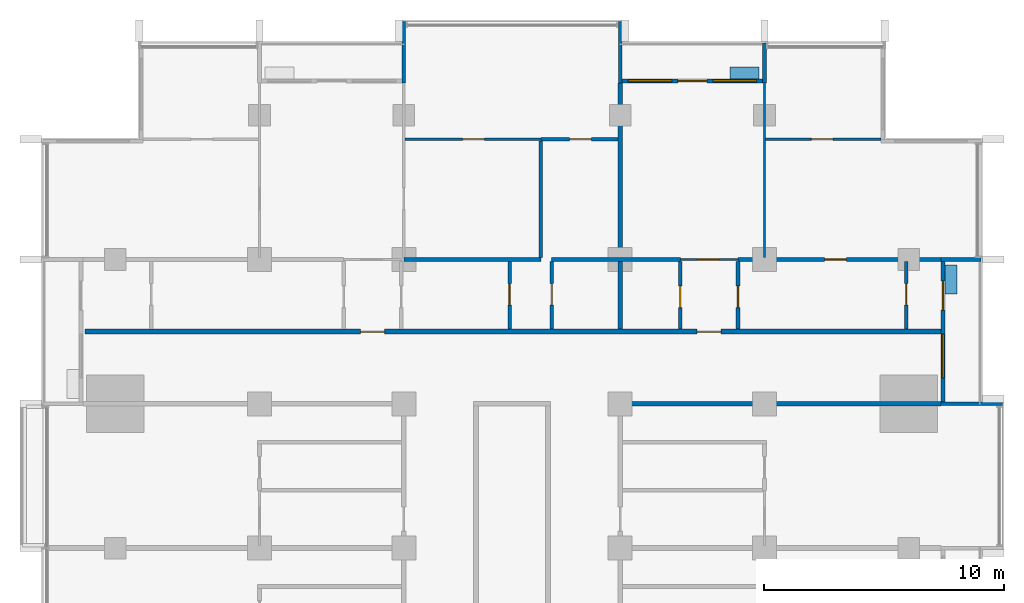
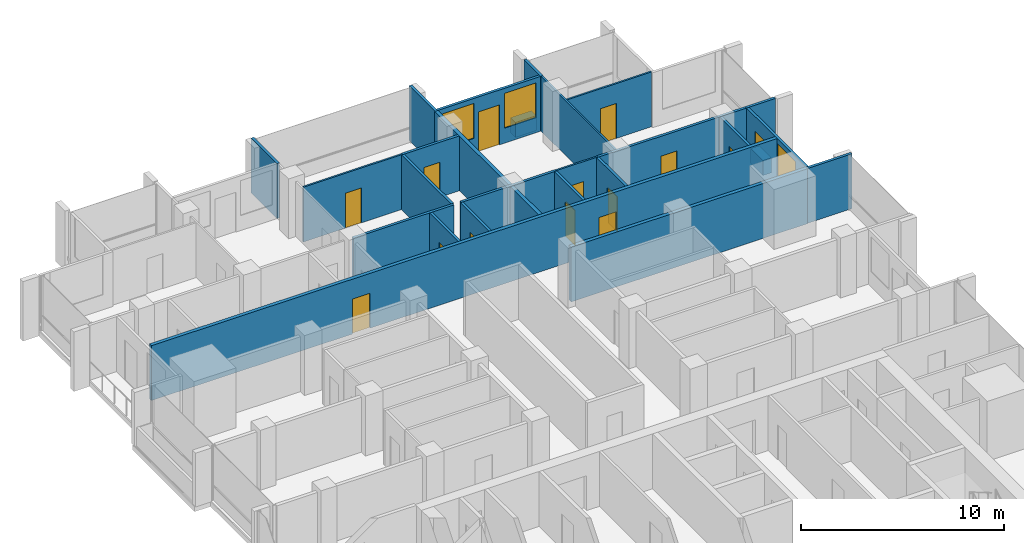
# One storey, part 11 of 17: 27 walls, 14 doors, 3 windows, 17 openings.
"""IFC4 building model written with IfcOpenShell, lengths in metres."""

import ifcopenshell
import ifcopenshell.guid

model = None  # the IFC model being written
_history = None  # IfcOwnerHistory: only IFC2X3 demands one
_inside = {}  # id of a spatial element -> (the spatial element, [elements in it])
_under = {}  # id of a project, library or spatial element -> (it, [spatial elements below it])
_declared = {}  # id of a project -> (the project, [libraries it declares])
_typed = {}  # id of a type object -> (the type object, [elements of that type])
_made_of = {}  # id of a material, layer set ... -> (it, [elements and type objects made of it])


def new_model(schema):
    """Start an empty IFC model of exactly this schema.

    Asked for "IFC4X3", IfcOpenShell would pick the latest addendum, in which some entities
    have other attributes; the version numbers below select the first issue.
    IFC2X3 requires an IfcOwnerHistory on every rooted entity: one is made here for all.
    """
    global model, _history
    if schema == "IFC4X3":
        model = ifcopenshell.file(schema_version=(4, 3, 0, 0))
    else:
        model = ifcopenshell.file(schema=schema)
    _inside.clear()
    _under.clear()
    _declared.clear()
    _typed.clear()
    _made_of.clear()
    _history = None
    if model.schema == "IFC2X3":
        org = make("IfcOrganization", Name="unknown")
        user = make(
            "IfcPersonAndOrganization",
            ThePerson=make("IfcPerson", FamilyName="unknown"),
            TheOrganization=org,
        )
        app = make(
            "IfcApplication",
            ApplicationDeveloper=org,
            Version="unknown",
            ApplicationFullName="unknown",
            ApplicationIdentifier="unknown",
        )
        _history = make(
            "IfcOwnerHistory",
            OwningUser=user,
            OwningApplication=app,
            ChangeAction="ADDED",
            CreationDate=0,
        )
    return model


def make(cls, **values):
    """One entity of the class cls with the attributes given. An attribute that is None is left unset."""
    return model.create_entity(
        cls, **{name: value for name, value in values.items() if value is not None}
    )


def rooted(cls, **values):
    """An entity with a GlobalId (a new one), such as an element, a storey or a relation."""
    return make(cls, GlobalId=ifcopenshell.guid.new(), OwnerHistory=_history, **values)


def si_unit(unit_type, name, prefix=None):
    """IfcSIUnit, for example si_unit("LENGTHUNIT", "METRE", prefix="MILLI")."""
    return make("IfcSIUnit", UnitType=unit_type, Prefix=prefix, Name=name)


def assignment(units):
    """IfcUnitAssignment: the units of a project."""
    return None if units is None else make("IfcUnitAssignment", Units=units)


def point(xyz):
    """IfcCartesianPoint."""
    return None if xyz is None else make("IfcCartesianPoint", Coordinates=xyz)


def direction(xyz):
    """IfcDirection."""
    return None if xyz is None else make("IfcDirection", DirectionRatios=xyz)


def frame(location, z_axis=None, x_axis=None):
    """IfcAxis2Placement3D, a coordinate frame: its origin and axes. An axis left out is left unset."""
    return make(
        "IfcAxis2Placement3D",
        Location=point(location),
        Axis=direction(z_axis),
        RefDirection=direction(x_axis),
    )


def frame_2d(location, x_axis=None):
    """IfcAxis2Placement2D, a coordinate frame in the plane: its origin and x axis."""
    return make(
        "IfcAxis2Placement2D", Location=point(location), RefDirection=direction(x_axis)
    )


def origin():
    """The frame at (0, 0, 0) with its axes left unset."""
    return frame((0.0, 0.0, 0.0))


def place(relative_to, where):
    """IfcLocalPlacement: puts the frame where relative to a parent placement (None: the world)."""
    return make(
        "IfcLocalPlacement", PlacementRelTo=relative_to, RelativePlacement=where
    )


def context(
    kind, dimensions, precision=None, world=None, true_north=None, identifier=None
):
    """IfcGeometricRepresentationContext, for example the 3D "Model" context."""
    return make(
        "IfcGeometricRepresentationContext",
        ContextIdentifier=identifier,
        ContextType=kind,
        CoordinateSpaceDimension=dimensions,
        Precision=precision,
        WorldCoordinateSystem=world,
        TrueNorth=true_north,
    )


def subcontext(parent, identifier, kind, view, scale=None):
    """IfcGeometricRepresentationSubContext, for example "Body" below "Model"."""
    return make(
        "IfcGeometricRepresentationSubContext",
        ContextIdentifier=identifier,
        ContextType=kind,
        ParentContext=parent,
        TargetScale=scale,
        TargetView=view,
    )


def project(units=None, contexts=None):
    """IfcProject with its units and contexts."""
    return rooted(
        "IfcProject",
        Name="project",
        RepresentationContexts=contexts,
        UnitsInContext=assignment(units),
    )


def spatial(cls, under=None, at=None, **own):
    """A site, building, storey or space (cls), placed at a placement, below another one or the project."""
    s = rooted(cls, ObjectPlacement=at, **own)
    if under is not None:
        _under.setdefault(under.id(), (under, []))[1].append(s)
    return s


def profile(cls, at=None, kind="AREA", **sizes):
    """A parametric profile (cls). Its sizes go by their IFC names, for example OverallWidth=200.0."""
    return make(cls, ProfileType=kind, Position=at, **sizes)


def rectangle(**sizes):
    """IfcRectangleProfileDef."""
    return profile("IfcRectangleProfileDef", **sizes)


def extrude(swept, where, along, depth):
    """IfcExtrudedAreaSolid: the profile swept, set in the frame where, extruded along a direction by depth."""
    return make(
        "IfcExtrudedAreaSolid",
        SweptArea=swept,
        Position=where,
        ExtrudedDirection=direction(along),
        Depth=depth,
    )


def shape(context_of_items, identifier, shape_type, items):
    """IfcShapeRepresentation: the items that make up one representation, for example the "Body"."""
    return make(
        "IfcShapeRepresentation",
        ContextOfItems=context_of_items,
        RepresentationIdentifier=identifier,
        RepresentationType=shape_type,
        Items=items,
    )


def material(Name=None, Category=None):
    """IfcMaterial."""
    return make("IfcMaterial", Name=Name, Category=Category)


def layer(
    of_material, thickness, ventilated=None, Name=None, Category=None, Priority=None
):
    """IfcMaterialLayer: one layer of a wall or slab, of a material (None: an air gap)."""
    return make(
        "IfcMaterialLayer",
        Material=of_material,
        LayerThickness=thickness,
        IsVentilated=ventilated,
        Name=Name,
        Category=Category,
        Priority=Priority,
    )


def layer_set(layers, Name=None):
    """IfcMaterialLayerSet."""
    return make("IfcMaterialLayerSet", MaterialLayers=layers, LayerSetName=Name)


def made_of(thing, what):
    """Note that an element or type object is made of a material, layer set ...; save() writes the relation."""
    if what is not None:
        _made_of.setdefault(what.id(), (what, []))[1].append(thing)
    return thing


def type_object(cls, material=None, **own):
    """A type object (cls), such as IfcWallType, which elements share."""
    return made_of(rooted(cls, **own), material)


def element(
    cls,
    number,
    at=None,
    inside=None,
    cuts=None,
    type_object=None,
    material=None,
    context=None,
    identifier="Body",
    shape_type=None,
    held_by="IfcProductDefinitionShape",
    body=None,
    shapes=None,
    **own,
):
    """One element of the class cls, such as IfcWall. Its Tag is "e" and its number.

    at: its placement. inside: the storey or other place that contains it. cuts: it is an
    opening in that element (IfcRelVoidsElement). A single representation is given by context,
    identifier, shape_type and body (its items); several are given by shapes. held_by: the class
    of the entity that holds the representations. save() writes the other relations.
    """
    e = rooted(cls, Tag="e%d" % number, ObjectPlacement=at, **own)
    if body is not None:
        shapes = [shape(context, identifier, shape_type, body)]
    if shapes is not None:
        e.Representation = make(held_by, Representations=shapes)
    if inside is not None:
        _inside.setdefault(inside.id(), (inside, []))[1].append(e)
    if cuts is not None:
        rooted(
            "IfcRelVoidsElement", RelatingBuildingElement=cuts, RelatedOpeningElement=e
        )
    if type_object is not None:
        _typed.setdefault(type_object.id(), (type_object, []))[1].append(e)
    return made_of(e, material)


def fill(opening, filler):
    """IfcRelFillsElement: the door or window that sits in an opening."""
    return rooted(
        "IfcRelFillsElement",
        RelatingOpeningElement=opening,
        RelatedBuildingElement=filler,
    )


def aggregate(whole, parts):
    """IfcRelAggregates: a whole, such as a stair, and the parts it consists of."""
    return rooted("IfcRelAggregates", RelatingObject=whole, RelatedObjects=parts)


def save(model, path):
    """Write the relations noted so far, then the file.

    IfcRelAggregates (storeys below a building ...), IfcRelContainedInSpatialStructure (elements
    in a storey), IfcRelDefinesByType, IfcRelAssociatesMaterial and IfcRelDeclares: one each for
    every whole, place, type object, material and project.
    """
    for whole, parts in _under.values():
        aggregate(whole, parts)
    for where, things in _inside.values():
        rooted(
            "IfcRelContainedInSpatialStructure",
            RelatedElements=things,
            RelatingStructure=where,
        )
    for kind, things in _typed.values():
        rooted("IfcRelDefinesByType", RelatedObjects=things, RelatingType=kind)
    for what, things in _made_of.values():
        rooted("IfcRelAssociatesMaterial", RelatedObjects=things, RelatingMaterial=what)
    for by, libraries in _declared.values():
        rooted("IfcRelDeclares", RelatingContext=by, RelatedDefinitions=libraries)
    model.write(path)


model = new_model("IFC4")

# Units and contexts
model_context = context("Model", 3, precision=1e-05, world=origin(), true_north=direction((0.0, 1.0)))
body_context = subcontext(model_context, "Body", "Model", "MODEL_VIEW")
ifc_project = project(units=[si_unit("LENGTHUNIT", "METRE"), si_unit("AREAUNIT", "SQUARE_METRE"), si_unit("VOLUMEUNIT", "CUBIC_METRE"), si_unit("PLANEANGLEUNIT", "RADIAN"), si_unit("MASSUNIT", "GRAM", prefix="KILO")], contexts=[model_context])

# Site, building, storey
site_placement = place(None, origin())
site = spatial("IfcSite", under=ifc_project, at=site_placement, CompositionType="ELEMENT")
building_placement = place(site_placement, origin())
building = spatial("IfcBuilding", under=site, at=building_placement, Name="Finial Court Residences", CompositionType="ELEMENT")
storey_placement = place(building_placement, frame((0.0, 0.0, 181.699951171875)))
storey = spatial("IfcBuildingStorey", under=building, at=storey_placement, Name="L45", CompositionType="ELEMENT", Elevation=181.699951171875)

# Walls
ifc_material_1 = material(Name="Gypsum board")
ifc_layer_1 = layer(ifc_material_1, 0.02490234375)
ifc_material_2 = material(Name="Acoustic mineral wool in double frame")
ifc_layer_2 = layer(ifc_material_2, 0.14990234375)
ifc_layer_3 = layer(ifc_material_1, 0.02490234375)
ifc_layer_set_1 = layer_set([ifc_layer_1, ifc_layer_2, ifc_layer_3], Name="Acoustic party wall 200, 1 hour")
wall_type_1 = type_object("IfcWallType", Name="Acoustic party wall 200, 1 hour", PredefinedType="PARTITIONING", material=ifc_layer_set_1)
wall_1_placement = place(storey_placement, frame((4.5, 10.60009765625, 0.0), z_axis=(0.0, 0.0, 1.0), x_axis=(0.0, 1.0, 0.0)))
element("IfcWall", 1, at=wall_1_placement, inside=storey, type_object=wall_type_1, Name="Partition L45-050", PredefinedType="PARTITIONING", context=body_context, shape_type="SweptSolid", body=[
    extrude(rectangle(XDim=2.824951171875, YDim=0.199951171875, at=frame_2d((1.41259765625, 0.0))), origin(), (0.0, 0.0, 1.0), 3.300048828125),
])
wall_2_placement = place(storey_placement, frame((4.5, 13.574951171875, 0.0), z_axis=(0.0, 0.0, 1.0), x_axis=(0.0, 1.0, 0.0)))
element("IfcWall", 2, at=wall_2_placement, inside=storey, type_object=wall_type_1, Name="Partition L45-051", PredefinedType="PARTITIONING", context=body_context, shape_type="SweptSolid", body=[
    extrude(rectangle(XDim=7.275146484375, YDim=0.199951171875, at=frame_2d((3.6376953125, 0.0))), origin(), (0.0, 0.0, 1.0), 3.300048828125),
])
ifc_layer_4 = layer(ifc_material_1, 0.02490234375)
ifc_layer_5 = layer(ifc_material_2, 0.14990234375)
ifc_layer_6 = layer(ifc_material_1, 0.02490234375)
ifc_layer_set_2 = layer_set([ifc_layer_4, ifc_layer_5, ifc_layer_6], Name="Corridor wall 200, 1 hour")
wall_type_2 = type_object("IfcWallType", Name="Corridor wall 200, 1 hour", PredefinedType="PARTITIONING", material=ifc_layer_set_2)
wall_3_placement = place(storey_placement, frame((4.39990234375, 7.5, 0.0), z_axis=(0.0, 0.0, 1.0), x_axis=(1.0, 0.0, 0.0)))
element("IfcWall", 3, at=wall_3_placement, inside=storey, type_object=wall_type_2, Name="Partition L45-021", PredefinedType="PARTITIONING", context=body_context, shape_type="SweptSolid", body=[
    extrude(rectangle(XDim=13.4501953125, YDim=0.199951171875, at=frame_2d((6.72509765625, 0.0))), origin(), (0.0, 0.0, 1.0), 3.300048828125),
])

# Wall, openings, doors
wall_4_placement = place(storey_placement, frame((-17.75, 10.5, 0.0), z_axis=(0.0, 0.0, 1.0), x_axis=(1.0, 0.0, 0.0)))
wall_4 = element("IfcWall", 4, at=wall_4_placement, inside=storey, type_object=wall_type_2, Name="Partition L45-022", PredefinedType="PARTITIONING", context=body_context, shape_type="SweptSolid", body=[
    extrude(rectangle(XDim=35.60009765625, YDim=0.199951171875, at=frame_2d((17.800048828125, 0.0))), origin(), (0.0, 0.0, 1.0), 3.300048828125),
])
opening_1_placement = place(wall_4_placement, frame((11.449951171875, 0.0, 0.0)))
opening_1 = element("IfcOpeningElement", 5, at=opening_1_placement, cuts=wall_4, Name="Opening L45-D012", PredefinedType="OPENING", context=body_context, shape_type="SweptSolid", body=[
    extrude(rectangle(XDim=1.0, YDim=2.10009765625, at=frame_2d((0.5, 1.050048828125))), frame((0.0, 0.10986328125, 0.0), z_axis=(0.0, -1.0, 0.0), x_axis=(1.0, 0.0, 0.0)), (0.0, 0.0, 1.0), 0.219970703125),
])
opening_2_placement = place(wall_4_placement, frame((25.449951171875, 0.0, 0.0)))
opening_2 = element("IfcOpeningElement", 6, at=opening_2_placement, cuts=wall_4, Name="Opening L45-D013", PredefinedType="OPENING", context=body_context, shape_type="SweptSolid", body=[
    extrude(rectangle(XDim=1.0, YDim=2.10009765625, at=frame_2d((0.5, 1.050048828125))), frame((0.0, 0.10986328125, 0.0), z_axis=(0.0, -1.0, 0.0), x_axis=(1.0, 0.0, 0.0)), (0.0, 0.0, 1.0), 0.219970703125),
])
ifc_material_3 = material(Name="Timber door leaf in hollow metal frame", Category="wood")
door_type_1 = type_object("IfcDoorType", Name="Fire door set 1000 x 2100, 30 minutes", OperationType="SINGLE_SWING_LEFT", PredefinedType="DOOR", material=ifc_material_3)
door_1_placement = place(opening_1_placement, origin())
door_1 = element("IfcDoor", 7, at=door_1_placement, inside=storey, type_object=door_type_1, Name="Door L45-D012", OperationType="SINGLE_SWING_RIGHT", OverallHeight=2.10009765625, OverallWidth=1.0, PredefinedType="DOOR", context=body_context, shape_type="SweptSolid", body=[
    extrude(rectangle(XDim=1.0, YDim=2.10009765625, at=frame_2d((0.5, 1.050048828125))), frame((0.0, 0.02490234375, 0.0), z_axis=(0.0, -1.0, 0.0), x_axis=(1.0, 0.0, 0.0)), (0.0, 0.0, 1.0), 0.050048828125),
])
fill(opening_1, door_1)
door_2_placement = place(opening_2_placement, origin())
door_2 = element("IfcDoor", 8, at=door_2_placement, inside=storey, type_object=door_type_1, Name="Door L45-D013", OperationType="SINGLE_SWING_LEFT", OverallHeight=2.10009765625, OverallWidth=1.0, PredefinedType="DOOR", context=body_context, shape_type="SweptSolid", body=[
    extrude(rectangle(XDim=1.0, YDim=2.10009765625, at=frame_2d((0.5, 1.050048828125))), frame((0.0, 0.02490234375, 0.0), z_axis=(0.0, -1.0, 0.0), x_axis=(1.0, 0.0, 0.0)), (0.0, 0.0, 1.0), 0.050048828125),
])
fill(opening_2, door_2)

# Wall, opening, door
ifc_layer_7 = layer(ifc_material_1, 0.012451171875)
ifc_material_4 = material(Name="Mineral wool in light-gauge frame")
ifc_layer_8 = layer(ifc_material_4, 0.074951171875)
ifc_layer_9 = layer(ifc_material_1, 0.012451171875)
ifc_layer_set_3 = layer_set([ifc_layer_7, ifc_layer_8, ifc_layer_9], Name="Gypsum board partition 100")
wall_type_3 = type_object("IfcWallType", Name="Gypsum board partition 100", PredefinedType="PARTITIONING", material=ifc_layer_set_3)
wall_5_placement = place(storey_placement, frame((7.0, 13.5, 0.0), z_axis=(0.0, 0.0, 1.0), x_axis=(1.0, 0.0, 0.0)))
wall_5 = element("IfcWall", 9, at=wall_5_placement, inside=storey, type_object=wall_type_3, Name="Partition L45-024", PredefinedType="PARTITIONING", context=body_context, shape_type="SweptSolid", body=[
    extrude(rectangle(XDim=2.39990234375, YDim=0.10009765625, at=frame_2d((1.199951171875, 0.0))), origin(), (0.0, 0.0, 1.0), 3.300048828125),
])
opening_3_placement = place(wall_5_placement, frame((0.699951171875, 0.0, 0.0)))
opening_3 = element("IfcOpeningElement", 10, at=opening_3_placement, cuts=wall_5, Name="Opening L45-D015", PredefinedType="OPENING", context=body_context, shape_type="SweptSolid", body=[
    extrude(rectangle(XDim=0.89990234375, YDim=2.10009765625, at=frame_2d((0.449951171875, 1.050048828125))), frame((0.0, 0.06005859375, 0.0), z_axis=(0.0, -1.0, 0.0), x_axis=(1.0, 0.0, 0.0)), (0.0, 0.0, 1.0), 0.1201171875),
])
ifc_material_5 = material(Name="Timber door leaf in timber frame", Category="wood")
door_type_2 = type_object("IfcDoorType", Name="Door set 900 x 2100", OperationType="SINGLE_SWING_LEFT", PredefinedType="DOOR", material=ifc_material_5)
door_3_placement = place(opening_3_placement, origin())
door_3 = element("IfcDoor", 11, at=door_3_placement, inside=storey, type_object=door_type_2, Name="Door L45-D015", OperationType="SINGLE_SWING_RIGHT", OverallHeight=2.10009765625, OverallWidth=0.89990234375, PredefinedType="DOOR", context=body_context, shape_type="SweptSolid", body=[
    extrude(rectangle(XDim=0.89990234375, YDim=2.10009765625, at=frame_2d((0.449951171875, 1.050048828125))), frame((0.0, 0.02490234375, 0.0), z_axis=(0.0, -1.0, 0.0), x_axis=(1.0, 0.0, 0.0)), (0.0, 0.0, 1.0), 0.050048828125),
])
fill(opening_3, door_3)

wall_6_placement = place(storey_placement, frame((-4.449951171875, 18.5, 0.0), z_axis=(0.0, 0.0, 1.0), x_axis=(1.0, 0.0, 0.0)))
wall_6 = element("IfcWall", 12, at=wall_6_placement, inside=storey, type_object=wall_type_3, Name="Partition L45-030", PredefinedType="PARTITIONING", context=body_context, shape_type="SweptSolid", body=[
    extrude(rectangle(XDim=5.64990234375, YDim=0.10009765625, at=frame_2d((2.824951171875, 0.0))), origin(), (0.0, 0.0, 1.0), 3.300048828125),
])
opening_4_placement = place(wall_6_placement, frame((2.39990234375, 0.0, 0.0)))
opening_4 = element("IfcOpeningElement", 13, at=opening_4_placement, cuts=wall_6, Name="Opening L45-D018", PredefinedType="OPENING", context=body_context, shape_type="SweptSolid", body=[
    extrude(rectangle(XDim=0.89990234375, YDim=2.10009765625, at=frame_2d((0.449951171875, 1.050048828125))), frame((0.0, 0.06005859375, 0.0), z_axis=(0.0, -1.0, 0.0), x_axis=(1.0, 0.0, 0.0)), (0.0, 0.0, 1.0), 0.1201171875),
])
door_4_placement = place(opening_4_placement, origin())
door_4 = element("IfcDoor", 14, at=door_4_placement, inside=storey, type_object=door_type_2, Name="Door L45-D018", OperationType="SINGLE_SWING_RIGHT", OverallHeight=2.10009765625, OverallWidth=0.89990234375, PredefinedType="DOOR", context=body_context, shape_type="SweptSolid", body=[
    extrude(rectangle(XDim=0.89990234375, YDim=2.10009765625, at=frame_2d((0.449951171875, 1.050048828125))), frame((0.0, 0.02490234375, 0.0), z_axis=(0.0, -1.0, 0.0), x_axis=(1.0, 0.0, 0.0)), (0.0, 0.0, 1.0), 0.050048828125),
])
fill(opening_4, door_4)

wall_7_placement = place(storey_placement, frame((10.550048828125, 18.5, 0.0), z_axis=(0.0, 0.0, 1.0), x_axis=(1.0, 0.0, 0.0)))
wall_7 = element("IfcWall", 15, at=wall_7_placement, inside=storey, type_object=wall_type_3, Name="Partition L45-031", PredefinedType="PARTITIONING", context=body_context, shape_type="SweptSolid", body=[
    extrude(rectangle(XDim=4.800048828125, YDim=0.10009765625, at=frame_2d((2.39990234375, 0.0))), origin(), (0.0, 0.0, 1.0), 3.300048828125),
])
opening_5_placement = place(wall_7_placement, frame((1.89990234375, 0.0, 0.0)))
opening_5 = element("IfcOpeningElement", 16, at=opening_5_placement, cuts=wall_7, Name="Opening L45-D019", PredefinedType="OPENING", context=body_context, shape_type="SweptSolid", body=[
    extrude(rectangle(XDim=0.89990234375, YDim=2.10009765625, at=frame_2d((0.449951171875, 1.050048828125))), frame((0.0, 0.06005859375, 0.0), z_axis=(0.0, -1.0, 0.0), x_axis=(1.0, 0.0, 0.0)), (0.0, 0.0, 1.0), 0.1201171875),
])
door_5_placement = place(opening_5_placement, origin())
door_5 = element("IfcDoor", 17, at=door_5_placement, inside=storey, type_object=door_type_2, Name="Door L45-D019", OperationType="SINGLE_SWING_LEFT", OverallHeight=2.10009765625, OverallWidth=0.89990234375, PredefinedType="DOOR", context=body_context, shape_type="SweptSolid", body=[
    extrude(rectangle(XDim=0.89990234375, YDim=2.10009765625, at=frame_2d((0.449951171875, 1.050048828125))), frame((0.0, 0.02490234375, 0.0), z_axis=(0.0, -1.0, 0.0), x_axis=(1.0, 0.0, 0.0)), (0.0, 0.0, 1.0), 0.050048828125),
])
fill(opening_5, door_5)

# Walls
wall_8_placement = place(storey_placement, frame((10.5, 13.574951171875, 0.0), z_axis=(0.0, 0.0, 1.0), x_axis=(0.0, 1.0, 0.0)))
element("IfcWall", 18, at=wall_8_placement, inside=storey, type_object=wall_type_3, Name="Partition L45-056", PredefinedType="PARTITIONING", context=body_context, shape_type="SweptSolid", body=[
    extrude(rectangle(XDim=7.275146484375, YDim=0.10009765625, at=frame_2d((3.6376953125, 0.0))), origin(), (0.0, 0.0, 1.0), 3.300048828125),
])
ifc_material_6 = material(Name="Moisture-resistant gypsum board")
ifc_layer_10 = layer(ifc_material_6, 0.012451171875)
ifc_layer_11 = layer(ifc_material_4, 0.125)
ifc_layer_12 = layer(ifc_material_6, 0.012451171875)
ifc_layer_set_4 = layer_set([ifc_layer_10, ifc_layer_11, ifc_layer_12], Name="Gypsum board wet-area partition 150")
wall_type_4 = type_object("IfcWallType", Name="Gypsum board wet-area partition 150", PredefinedType="PARTITIONING", material=ifc_layer_set_4)
wall_9_placement = place(storey_placement, frame((-4.5, 13.5, 0.0), z_axis=(0.0, 0.0, 1.0), x_axis=(1.0, 0.0, 0.0)))
element("IfcWall", 19, at=wall_9_placement, inside=storey, type_object=wall_type_4, Name="Partition L45-026", PredefinedType="PARTITIONING", context=body_context, shape_type="SweptSolid", body=[
    extrude(rectangle(XDim=5.699951171875, YDim=0.14990234375, at=frame_2d((2.85009765625, 0.0))), origin(), (0.0, 0.0, 1.0), 3.300048828125),
])
wall_10_placement = place(storey_placement, frame((1.64990234375, 13.5, 0.0), z_axis=(0.0, 0.0, 1.0), x_axis=(1.0, 0.0, 0.0)))
element("IfcWall", 20, at=wall_10_placement, inside=storey, type_object=wall_type_4, Name="Partition L45-027", PredefinedType="PARTITIONING", context=body_context, shape_type="SweptSolid", body=[
    extrude(rectangle(XDim=5.35009765625, YDim=0.14990234375, at=frame_2d((2.675048828125, 0.0))), origin(), (0.0, 0.0, 1.0), 3.300048828125),
])

# Wall, opening, door
wall_11_placement = place(storey_placement, frame((9.39990234375, 13.5, 0.0), z_axis=(0.0, 0.0, 1.0), x_axis=(1.0, 0.0, 0.0)))
wall_11 = element("IfcWall", 21, at=wall_11_placement, inside=storey, type_object=wall_type_4, Name="Partition L45-028", PredefinedType="PARTITIONING", context=body_context, shape_type="SweptSolid", body=[
    extrude(rectangle(XDim=8.4501953125, YDim=0.14990234375, at=frame_2d((4.22509765625, 0.0))), origin(), (0.0, 0.0, 1.0), 3.300048828125),
])
opening_6_placement = place(wall_11_placement, frame((3.60009765625, 0.0, 0.0)))
opening_6 = element("IfcOpeningElement", 22, at=opening_6_placement, cuts=wall_11, Name="Opening L45-D016", PredefinedType="OPENING", context=body_context, shape_type="SweptSolid", body=[
    extrude(rectangle(XDim=0.89990234375, YDim=2.10009765625, at=frame_2d((0.449951171875, 1.050048828125))), frame((0.0, 0.0849609375, 0.0), z_axis=(0.0, -1.0, 0.0), x_axis=(1.0, 0.0, 0.0)), (0.0, 0.0, 1.0), 0.169921875),
])
door_6_placement = place(opening_6_placement, origin())
door_6 = element("IfcDoor", 23, at=door_6_placement, inside=storey, type_object=door_type_2, Name="Door L45-D016", OperationType="SINGLE_SWING_RIGHT", OverallHeight=2.10009765625, OverallWidth=0.89990234375, PredefinedType="DOOR", context=body_context, shape_type="SweptSolid", body=[
    extrude(rectangle(XDim=0.89990234375, YDim=2.10009765625, at=frame_2d((0.449951171875, 1.050048828125))), frame((0.0, 0.02490234375, 0.0), z_axis=(0.0, -1.0, 0.0), x_axis=(1.0, 0.0, 0.0)), (0.0, 0.0, 1.0), 0.050048828125),
])
fill(opening_6, door_6)

wall_12_placement = place(storey_placement, frame((1.199951171875, 18.5, 0.0), z_axis=(0.0, 0.0, 1.0), x_axis=(1.0, 0.0, 0.0)))
wall_12 = element("IfcWall", 24, at=wall_12_placement, inside=storey, type_object=wall_type_4, Name="Partition L45-032", PredefinedType="PARTITIONING", context=body_context, shape_type="SweptSolid", body=[
    extrude(rectangle(XDim=3.199951171875, YDim=0.14990234375, at=frame_2d((1.60009765625, 0.0))), origin(), (0.0, 0.0, 1.0), 3.300048828125),
])
opening_7_placement = place(wall_12_placement, frame((1.199951171875, 0.0, 0.0)))
opening_7 = element("IfcOpeningElement", 25, at=opening_7_placement, cuts=wall_12, Name="Opening L45-D020", PredefinedType="OPENING", context=body_context, shape_type="SweptSolid", body=[
    extrude(rectangle(XDim=0.89990234375, YDim=2.10009765625, at=frame_2d((0.449951171875, 1.050048828125))), frame((0.0, 0.0849609375, 0.0), z_axis=(0.0, -1.0, 0.0), x_axis=(1.0, 0.0, 0.0)), (0.0, 0.0, 1.0), 0.169921875),
])
door_7_placement = place(opening_7_placement, origin())
door_7 = element("IfcDoor", 26, at=door_7_placement, inside=storey, type_object=door_type_2, Name="Door L45-D020", OperationType="SINGLE_SWING_RIGHT", OverallHeight=2.10009765625, OverallWidth=0.89990234375, PredefinedType="DOOR", context=body_context, shape_type="SweptSolid", body=[
    extrude(rectangle(XDim=0.89990234375, YDim=2.10009765625, at=frame_2d((0.449951171875, 1.050048828125))), frame((0.0, 0.02490234375, 0.0), z_axis=(0.0, -1.0, 0.0), x_axis=(1.0, 0.0, 0.0)), (0.0, 0.0, 1.0), 0.050048828125),
])
fill(opening_7, door_7)

wall_13_placement = place(storey_placement, frame((-0.10009765625, 10.60009765625, 0.0), z_axis=(0.0, 0.0, 1.0), x_axis=(0.0, 1.0, 0.0)))
wall_13 = element("IfcWall", 27, at=wall_13_placement, inside=storey, type_object=wall_type_4, Name="Partition L45-045", PredefinedType="PARTITIONING", context=body_context, shape_type="SweptSolid", body=[
    extrude(rectangle(XDim=2.824951171875, YDim=0.14990234375, at=frame_2d((1.41259765625, 0.0))), origin(), (0.0, 0.0, 1.0), 3.300048828125),
])
opening_8_placement = place(wall_13_placement, frame((1.0, 0.0, 0.0)))
opening_8 = element("IfcOpeningElement", 28, at=opening_8_placement, cuts=wall_13, Name="Opening L45-D031", PredefinedType="OPENING", context=body_context, shape_type="SweptSolid", body=[
    extrude(rectangle(XDim=0.89990234375, YDim=2.10009765625, at=frame_2d((0.449951171875, 1.050048828125))), frame((0.0, 0.0849609375, 0.0), z_axis=(0.0, -1.0, 0.0), x_axis=(1.0, 0.0, 0.0)), (0.0, 0.0, 1.0), 0.169921875),
])
door_8_placement = place(opening_8_placement, origin())
door_8 = element("IfcDoor", 29, at=door_8_placement, inside=storey, type_object=door_type_2, Name="Door L45-D031", OperationType="SINGLE_SWING_RIGHT", OverallHeight=2.10009765625, OverallWidth=0.89990234375, PredefinedType="DOOR", context=body_context, shape_type="SweptSolid", body=[
    extrude(rectangle(XDim=0.89990234375, YDim=2.10009765625, at=frame_2d((0.449951171875, 1.050048828125))), frame((0.0, 0.02490234375, 0.0), z_axis=(0.0, -1.0, 0.0), x_axis=(1.0, 0.0, 0.0)), (0.0, 0.0, 1.0), 0.050048828125),
])
fill(opening_8, door_8)

# Wall
wall_14_placement = place(storey_placement, frame((1.199951171875, 13.574951171875, 0.0), z_axis=(0.0, 0.0, 1.0), x_axis=(0.0, 1.0, 0.0)))
element("IfcWall", 30, at=wall_14_placement, inside=storey, type_object=wall_type_4, Name="Partition L45-046", PredefinedType="PARTITIONING", context=body_context, shape_type="SweptSolid", body=[
    extrude(rectangle(XDim=4.85009765625, YDim=0.14990234375, at=frame_2d((2.425048828125, 0.0))), origin(), (0.0, 0.0, 1.0), 3.300048828125),
])

# Wall, opening, door
wall_15_placement = place(storey_placement, frame((1.64990234375, 10.60009765625, 0.0), z_axis=(0.0, 0.0, 1.0), x_axis=(0.0, 1.0, 0.0)))
wall_15 = element("IfcWall", 31, at=wall_15_placement, inside=storey, type_object=wall_type_4, Name="Partition L45-048", PredefinedType="PARTITIONING", context=body_context, shape_type="SweptSolid", body=[
    extrude(rectangle(XDim=2.824951171875, YDim=0.14990234375, at=frame_2d((1.41259765625, 0.0))), origin(), (0.0, 0.0, 1.0), 3.300048828125),
])
opening_9_placement = place(wall_15_placement, frame((1.0, 0.0, 0.0)))
opening_9 = element("IfcOpeningElement", 32, at=opening_9_placement, cuts=wall_15, Name="Opening L45-D032", PredefinedType="OPENING", context=body_context, shape_type="SweptSolid", body=[
    extrude(rectangle(XDim=0.89990234375, YDim=2.10009765625, at=frame_2d((0.449951171875, 1.050048828125))), frame((0.0, 0.0849609375, 0.0), z_axis=(0.0, -1.0, 0.0), x_axis=(1.0, 0.0, 0.0)), (0.0, 0.0, 1.0), 0.169921875),
])
door_9_placement = place(opening_9_placement, origin())
door_9 = element("IfcDoor", 33, at=door_9_placement, inside=storey, type_object=door_type_2, Name="Door L45-D032", OperationType="SINGLE_SWING_RIGHT", OverallHeight=2.10009765625, OverallWidth=0.89990234375, PredefinedType="DOOR", context=body_context, shape_type="SweptSolid", body=[
    extrude(rectangle(XDim=0.89990234375, YDim=2.10009765625, at=frame_2d((0.449951171875, 1.050048828125))), frame((0.0, 0.02490234375, 0.0), z_axis=(0.0, -1.0, 0.0), x_axis=(1.0, 0.0, 0.0)), (0.0, 0.0, 1.0), 0.050048828125),
])
fill(opening_9, door_9)

wall_16_placement = place(storey_placement, frame((7.0, 10.60009765625, 0.0), z_axis=(0.0, 0.0, 1.0), x_axis=(0.0, 1.0, 0.0)))
wall_16 = element("IfcWall", 34, at=wall_16_placement, inside=storey, type_object=wall_type_4, Name="Partition L45-052", PredefinedType="PARTITIONING", context=body_context, shape_type="SweptSolid", body=[
    extrude(rectangle(XDim=2.824951171875, YDim=0.14990234375, at=frame_2d((1.41259765625, 0.0))), origin(), (0.0, 0.0, 1.0), 3.300048828125),
])
opening_10_placement = place(wall_16_placement, frame((0.89990234375, 0.0, 0.0)))
opening_10 = element("IfcOpeningElement", 35, at=opening_10_placement, cuts=wall_16, Name="Opening L45-D034", PredefinedType="OPENING", context=body_context, shape_type="SweptSolid", body=[
    extrude(rectangle(XDim=0.89990234375, YDim=2.10009765625, at=frame_2d((0.449951171875, 1.050048828125))), frame((0.0, 0.0849609375, 0.0), z_axis=(0.0, -1.0, 0.0), x_axis=(1.0, 0.0, 0.0)), (0.0, 0.0, 1.0), 0.169921875),
])
door_10_placement = place(opening_10_placement, origin())
door_10 = element("IfcDoor", 36, at=door_10_placement, inside=storey, type_object=door_type_2, Name="Door L45-D034", OperationType="SINGLE_SWING_RIGHT", OverallHeight=2.10009765625, OverallWidth=0.89990234375, PredefinedType="DOOR", context=body_context, shape_type="SweptSolid", body=[
    extrude(rectangle(XDim=0.89990234375, YDim=2.10009765625, at=frame_2d((0.449951171875, 1.050048828125))), frame((0.0, 0.02490234375, 0.0), z_axis=(0.0, -1.0, 0.0), x_axis=(1.0, 0.0, 0.0)), (0.0, 0.0, 1.0), 0.050048828125),
])
fill(opening_10, door_10)

wall_17_placement = place(storey_placement, frame((9.39990234375, 10.60009765625, 0.0), z_axis=(0.0, 0.0, 1.0), x_axis=(0.0, 1.0, 0.0)))
wall_17 = element("IfcWall", 37, at=wall_17_placement, inside=storey, type_object=wall_type_4, Name="Partition L45-053", PredefinedType="PARTITIONING", context=body_context, shape_type="SweptSolid", body=[
    extrude(rectangle(XDim=2.824951171875, YDim=0.14990234375, at=frame_2d((1.41259765625, 0.0))), origin(), (0.0, 0.0, 1.0), 3.300048828125),
])
opening_11_placement = place(wall_17_placement, frame((0.89990234375, 0.0, 0.0)))
opening_11 = element("IfcOpeningElement", 38, at=opening_11_placement, cuts=wall_17, Name="Opening L45-D035", PredefinedType="OPENING", context=body_context, shape_type="SweptSolid", body=[
    extrude(rectangle(XDim=0.89990234375, YDim=2.10009765625, at=frame_2d((0.449951171875, 1.050048828125))), frame((0.0, 0.0849609375, 0.0), z_axis=(0.0, -1.0, 0.0), x_axis=(1.0, 0.0, 0.0)), (0.0, 0.0, 1.0), 0.169921875),
])
door_11_placement = place(opening_11_placement, origin())
door_11 = element("IfcDoor", 39, at=door_11_placement, inside=storey, type_object=door_type_2, Name="Door L45-D035", OperationType="SINGLE_SWING_LEFT", OverallHeight=2.10009765625, OverallWidth=0.89990234375, PredefinedType="DOOR", context=body_context, shape_type="SweptSolid", body=[
    extrude(rectangle(XDim=0.89990234375, YDim=2.10009765625, at=frame_2d((0.449951171875, 1.050048828125))), frame((0.0, 0.02490234375, 0.0), z_axis=(0.0, -1.0, 0.0), x_axis=(1.0, 0.0, 0.0)), (0.0, 0.0, 1.0), 0.050048828125),
])
fill(opening_11, door_11)

wall_18_placement = place(storey_placement, frame((16.39990234375, 10.60009765625, 0.0), z_axis=(0.0, 0.0, 1.0), x_axis=(0.0, 1.0, 0.0)))
wall_18 = element("IfcWall", 40, at=wall_18_placement, inside=storey, type_object=wall_type_4, Name="Partition L45-060", PredefinedType="PARTITIONING", context=body_context, shape_type="SweptSolid", body=[
    extrude(rectangle(XDim=2.824951171875, YDim=0.14990234375, at=frame_2d((1.41259765625, 0.0))), origin(), (0.0, 0.0, 1.0), 3.300048828125),
])
opening_12_placement = place(wall_18_placement, frame((1.0, 0.0, 0.0)))
opening_12 = element("IfcOpeningElement", 41, at=opening_12_placement, cuts=wall_18, Name="Opening L45-D040", PredefinedType="OPENING", context=body_context, shape_type="SweptSolid", body=[
    extrude(rectangle(XDim=0.89990234375, YDim=2.10009765625, at=frame_2d((0.449951171875, 1.050048828125))), frame((0.0, 0.0849609375, 0.0), z_axis=(0.0, -1.0, 0.0), x_axis=(1.0, 0.0, 0.0)), (0.0, 0.0, 1.0), 0.169921875),
])
door_12_placement = place(opening_12_placement, origin())
door_12 = element("IfcDoor", 42, at=door_12_placement, inside=storey, type_object=door_type_2, Name="Door L45-D040", OperationType="SINGLE_SWING_LEFT", OverallHeight=2.10009765625, OverallWidth=0.89990234375, PredefinedType="DOOR", context=body_context, shape_type="SweptSolid", body=[
    extrude(rectangle(XDim=0.89990234375, YDim=2.10009765625, at=frame_2d((0.449951171875, 1.050048828125))), frame((0.0, 0.02490234375, 0.0), z_axis=(0.0, -1.0, 0.0), x_axis=(1.0, 0.0, 0.0)), (0.0, 0.0, 1.0), 0.050048828125),
])
fill(opening_12, door_12)

# Walls
ifc_material_7 = material(Name="Natural limestone", Category="masonry")
ifc_layer_13 = layer(ifc_material_7, 0.14990234375)
ifc_layer_set_5 = layer_set([ifc_layer_13], Name="Limestone clad wall 150")
wall_type_5 = type_object("IfcWallType", Name="Limestone clad wall 150", PredefinedType="SOLIDWALL", material=ifc_layer_set_5)
for number, where, z_axis, x_axis, name in (
    (43, (-4.5, 20.85009765625, 0.0), (0.0, 0.0, 1.0), (0.0, 1.0, 0.0), "E-L45-BALN2-P2"),
    (44, (4.5, 20.85009765625, 0.0), (0.0, 0.0, 1.0), (0.0, 1.0, 0.0), "E-L45-BALN4-P1"),
):
    element("IfcWall", number, at=place(storey_placement, frame(where, z_axis=z_axis, x_axis=x_axis)), inside=storey, type_object=wall_type_5, Name=name, PredefinedType="SOLIDWALL", context=body_context, shape_type="SweptSolid", body=[
        extrude(rectangle(XDim=2.5498046875, YDim=0.14990234375, at=frame_2d((1.27490234375, 0.0))), origin(), (0.0, 0.0, 1.0), 3.300048828125),
    ])
wall_19_placement = place(storey_placement, frame((10.5, 20.85009765625, 0.0), z_axis=(0.0, 0.0, 1.0), x_axis=(0.0, 1.0, 0.0)))
element("IfcWall", 45, at=wall_19_placement, inside=storey, type_object=wall_type_5, Name="E-L45-BALN4-P2", PredefinedType="SOLIDWALL", context=body_context, shape_type="SweptSolid", body=[
    extrude(rectangle(XDim=1.64990234375, YDim=0.14990234375, at=frame_2d((0.824951171875, 0.0))), origin(), (0.0, 0.0, 1.0), 3.300048828125),
])

# Wall, openings, door, windows
wall_20_placement = place(storey_placement, frame((4.574951171875, 20.925048828125, 0.0), z_axis=(0.0, 0.0, 1.0), x_axis=(1.0, 0.0, 0.0)))
wall_20 = element("IfcWall", 46, at=wall_20_placement, inside=storey, type_object=wall_type_5, Name="E-L45-L45-BALN4-W", PredefinedType="SOLIDWALL", context=body_context, shape_type="SweptSolid", body=[
    extrude(rectangle(XDim=5.85009765625, YDim=0.14990234375, at=frame_2d((2.925048828125, 0.0))), origin(), (0.0, 0.0, 1.0), 3.300048828125),
])
opening_13_placement = place(wall_20_placement, frame((2.324951171875, 0.0, 0.0)))
opening_13 = element("IfcOpeningElement", 47, at=opening_13_placement, cuts=wall_20, Name="Opening DE45-02", PredefinedType="OPENING", context=body_context, shape_type="SweptSolid", body=[
    extrude(rectangle(XDim=1.199951171875, YDim=2.39990234375, at=frame_2d((0.60009765625, 1.199951171875))), frame((0.0, 0.0849609375, 0.0), z_axis=(0.0, -1.0, 0.0), x_axis=(1.0, 0.0, 0.0)), (0.0, 0.0, 1.0), 0.169921875),
])
opening_14_placement = place(wall_20_placement, frame((0.262451171875, 0.0, 0.89990234375)))
opening_14 = element("IfcOpeningElement", 48, at=opening_14_placement, cuts=wall_20, Name="Opening WE45-11", PredefinedType="OPENING", context=body_context, shape_type="SweptSolid", body=[
    extrude(rectangle(XDim=1.800048828125, YDim=2.10009765625, at=frame_2d((0.89990234375, 1.050048828125))), frame((0.0, 0.0849609375, 0.0), z_axis=(0.0, -1.0, 0.0), x_axis=(1.0, 0.0, 0.0)), (0.0, 0.0, 1.0), 0.169921875),
])
opening_15_placement = place(wall_20_placement, frame((3.78759765625, 0.0, 0.89990234375)))
opening_15 = element("IfcOpeningElement", 49, at=opening_15_placement, cuts=wall_20, Name="Opening WE45-12", PredefinedType="OPENING", context=body_context, shape_type="SweptSolid", body=[
    extrude(rectangle(XDim=1.800048828125, YDim=2.10009765625, at=frame_2d((0.89990234375, 1.050048828125))), frame((0.0, 0.0849609375, 0.0), z_axis=(0.0, -1.0, 0.0), x_axis=(1.0, 0.0, 0.0)), (0.0, 0.0, 1.0), 0.169921875),
])
ifc_material_8 = material(Name="Bronze anodised aluminium", Category="aluminium")
door_type_3 = type_object("IfcDoorType", Name="Balcony door 1200 x 2400", OperationType="SINGLE_SWING_LEFT", PredefinedType="DOOR", material=ifc_material_8)
door_13_placement = place(opening_13_placement, origin())
door_13 = element("IfcDoor", 50, at=door_13_placement, inside=storey, type_object=door_type_3, Name="E-L45-L45-BALN4-W-D", OperationType="SINGLE_SWING_LEFT", OverallHeight=2.39990234375, OverallWidth=1.199951171875, PredefinedType="DOOR", context=body_context, shape_type="SweptSolid", body=[
    extrude(rectangle(XDim=1.199951171875, YDim=2.39990234375, at=frame_2d((0.60009765625, 1.199951171875))), frame((0.0, 0.02490234375, 0.0), z_axis=(0.0, -1.0, 0.0), x_axis=(1.0, 0.0, 0.0)), (0.0, 0.0, 1.0), 0.050048828125),
])
fill(opening_13, door_13)
ifc_material_9 = material(Name="Clear low-e glass", Category="glass")
window_type = type_object("IfcWindowType", Name="Balcony window 1800 x 2100", PartitioningType="SINGLE_PANEL", PredefinedType="WINDOW", material=ifc_material_9)
window_1_placement = place(opening_14_placement, origin())
window_1 = element("IfcWindow", 51, at=window_1_placement, inside=storey, type_object=window_type, Name="E-L45-L45-BALN4-W-W1", OverallHeight=2.10009765625, OverallWidth=1.800048828125, PartitioningType="SINGLE_PANEL", PredefinedType="WINDOW", context=body_context, shape_type="SweptSolid", body=[
    extrude(rectangle(XDim=1.800048828125, YDim=2.10009765625, at=frame_2d((0.89990234375, 1.050048828125))), frame((0.0, 0.030029296875, 0.0), z_axis=(0.0, -1.0, 0.0), x_axis=(1.0, 0.0, 0.0)), (0.0, 0.0, 1.0), 0.06005859375),
])
fill(opening_14, window_1)
window_2_placement = place(opening_15_placement, origin())
window_2 = element("IfcWindow", 52, at=window_2_placement, inside=storey, type_object=window_type, Name="E-L45-L45-BALN4-W-W2", OverallHeight=2.10009765625, OverallWidth=1.800048828125, PartitioningType="SINGLE_PANEL", PredefinedType="WINDOW", context=body_context, shape_type="SweptSolid", body=[
    extrude(rectangle(XDim=1.800048828125, YDim=2.10009765625, at=frame_2d((0.89990234375, 1.050048828125))), frame((0.0, 0.030029296875, 0.0), z_axis=(0.0, -1.0, 0.0), x_axis=(1.0, 0.0, 0.0)), (0.0, 0.0, 1.0), 0.06005859375),
])
fill(opening_15, window_2)

# Walls
wall_21_placement = place(storey_placement, frame((17.85009765625, 7.5, 0.0), z_axis=(0.0, 0.0, 1.0), x_axis=(1.0, 0.0, 0.0)))
element("IfcWall", 53, at=wall_21_placement, inside=storey, type_object=wall_type_5, Name="E-L45-BALE5-P1", PredefinedType="SOLIDWALL", context=body_context, shape_type="SweptSolid", body=[
    extrude(rectangle(XDim=2.5498046875, YDim=0.14990234375, at=frame_2d((1.27490234375, 0.0))), origin(), (0.0, 0.0, 1.0), 3.300048828125),
])
wall_22_placement = place(storey_placement, frame((17.85009765625, 13.5, 0.0), z_axis=(0.0, 0.0, 1.0), x_axis=(1.0, 0.0, 0.0)))
element("IfcWall", 54, at=wall_22_placement, inside=storey, type_object=wall_type_5, Name="E-L45-BALE5-P2", PredefinedType="SOLIDWALL", context=body_context, shape_type="SweptSolid", body=[
    extrude(rectangle(XDim=1.64990234375, YDim=0.14990234375, at=frame_2d((0.824951171875, 0.0))), origin(), (0.0, 0.0, 1.0), 3.300048828125),
])

# Wall, openings, door, window
wall_23_placement = place(storey_placement, frame((17.925048828125, 13.425048828125, 0.0), z_axis=(0.0, 0.0, 1.0), x_axis=(0.0, -1.0, 0.0)))
wall_23 = element("IfcWall", 55, at=wall_23_placement, inside=storey, type_object=wall_type_5, Name="E-L45-L45-BALE5-W", PredefinedType="SOLIDWALL", context=body_context, shape_type="SweptSolid", body=[
    extrude(rectangle(XDim=5.85009765625, YDim=0.14990234375, at=frame_2d((2.925048828125, 0.0))), origin(), (0.0, 0.0, 1.0), 3.300048828125),
])
opening_16_placement = place(wall_23_placement, frame((0.824951171875, 0.0, 0.0)))
opening_16 = element("IfcOpeningElement", 56, at=opening_16_placement, cuts=wall_23, Name="Opening DE45-04", PredefinedType="OPENING", context=body_context, shape_type="SweptSolid", body=[
    extrude(rectangle(XDim=1.199951171875, YDim=2.39990234375, at=frame_2d((0.60009765625, 1.199951171875))), frame((0.0, 0.0849609375, 0.0), z_axis=(0.0, -1.0, 0.0), x_axis=(1.0, 0.0, 0.0)), (0.0, 0.0, 1.0), 0.169921875),
])
opening_17_placement = place(wall_23_placement, frame((3.03759765625, 0.0, 0.89990234375)))
opening_17 = element("IfcOpeningElement", 57, at=opening_17_placement, cuts=wall_23, Name="Opening WE45-15", PredefinedType="OPENING", context=body_context, shape_type="SweptSolid", body=[
    extrude(rectangle(XDim=1.800048828125, YDim=2.10009765625, at=frame_2d((0.89990234375, 1.050048828125))), frame((0.0, 0.0849609375, 0.0), z_axis=(0.0, -1.0, 0.0), x_axis=(1.0, 0.0, 0.0)), (0.0, 0.0, 1.0), 0.169921875),
])
door_14_placement = place(opening_16_placement, origin())
door_14 = element("IfcDoor", 58, at=door_14_placement, inside=storey, type_object=door_type_3, Name="E-L45-L45-BALE5-W-D", OperationType="SINGLE_SWING_LEFT", OverallHeight=2.39990234375, OverallWidth=1.199951171875, PredefinedType="DOOR", context=body_context, shape_type="SweptSolid", body=[
    extrude(rectangle(XDim=1.199951171875, YDim=2.39990234375, at=frame_2d((0.60009765625, 1.199951171875))), frame((0.0, 0.02490234375, 0.0), z_axis=(0.0, -1.0, 0.0), x_axis=(1.0, 0.0, 0.0)), (0.0, 0.0, 1.0), 0.050048828125),
])
fill(opening_16, door_14)
window_3_placement = place(opening_17_placement, origin())
window_3 = element("IfcWindow", 59, at=window_3_placement, inside=storey, type_object=window_type, Name="E-L45-L45-BALE5-W-W1", OverallHeight=2.10009765625, OverallWidth=1.800048828125, PartitioningType="SINGLE_PANEL", PredefinedType="WINDOW", context=body_context, shape_type="SweptSolid", body=[
    extrude(rectangle(XDim=1.800048828125, YDim=2.10009765625, at=frame_2d((0.89990234375, 1.050048828125))), frame((0.0, 0.030029296875, 0.0), z_axis=(0.0, -1.0, 0.0), x_axis=(1.0, 0.0, 0.0)), (0.0, 0.0, 1.0), 0.06005859375),
])
fill(opening_17, window_3)

# Walls
ifc_material_10 = material(Name="Concrete C40/50", Category="concrete")
ifc_layer_14 = layer(ifc_material_10, 0.10009765625)
ifc_material_11 = material(Name="Planting soil", Category="soil")
ifc_layer_15 = layer(ifc_material_11, 0.300048828125)
ifc_layer_16 = layer(ifc_material_10, 0.10009765625)
ifc_layer_set_6 = layer_set([ifc_layer_14, ifc_layer_15, ifc_layer_16], Name="Planter wall, balcony")
wall_type_6 = type_object("IfcWallType", Name="Planter wall, balcony", PredefinedType="USERDEFINED", material=ifc_layer_set_6)
for number, where, z_axis, x_axis, name in (
    (60, (9.074951171875, 21.25, 0.0), (0.0, 0.0, 1.0), (1.0, 0.0, 0.0), "E-L45-BALN4-PL"),
    (61, (18.25, 12.074951171875, 0.0), (0.0, 0.0, 1.0), (0.0, 1.0, 0.0), "E-L45-BALE5-PL"),
):
    element("IfcWall", number, at=place(storey_placement, frame(where, z_axis=z_axis, x_axis=x_axis)), inside=storey, type_object=wall_type_6, Name=name, ObjectType="PLANTER", PredefinedType="USERDEFINED", context=body_context, shape_type="SweptSolid", body=[
        extrude(rectangle(XDim=1.199951171875, YDim=0.5, at=frame_2d((0.60009765625, 0.0))), origin(), (0.0, 0.0, 1.0), 0.900146484375),
    ])

save(model, "model.ifc")
